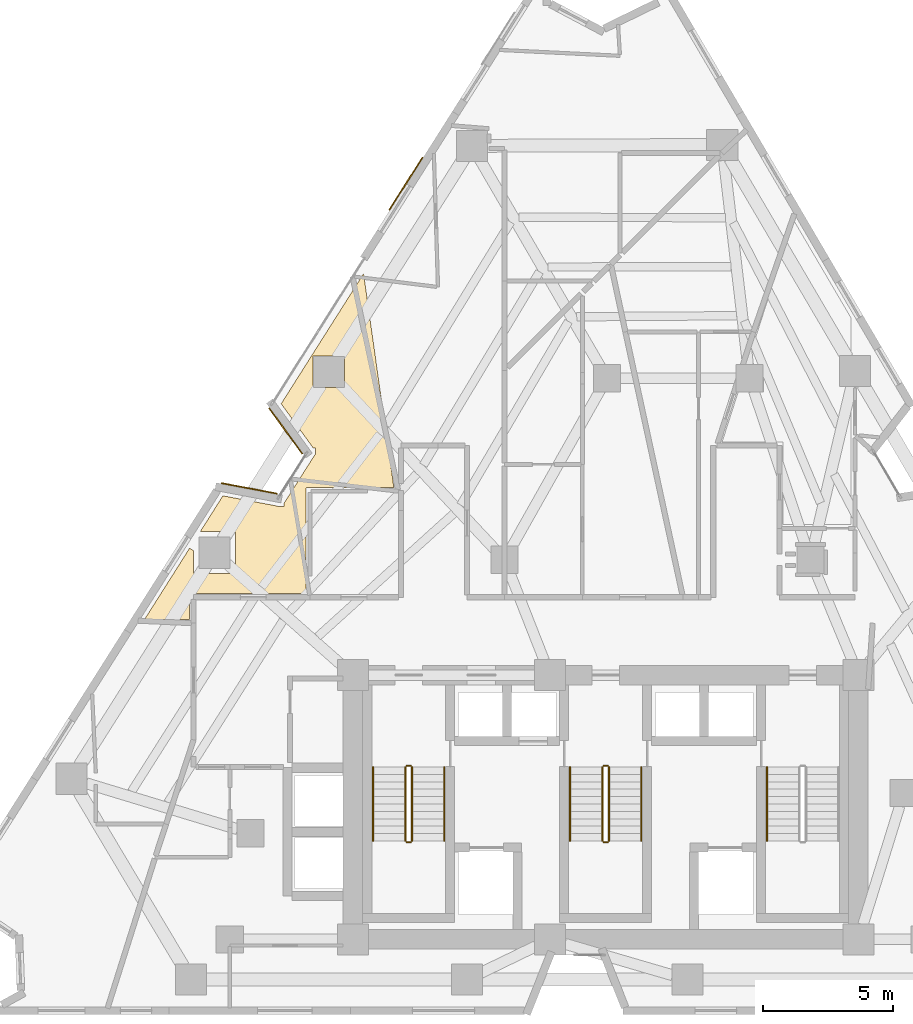
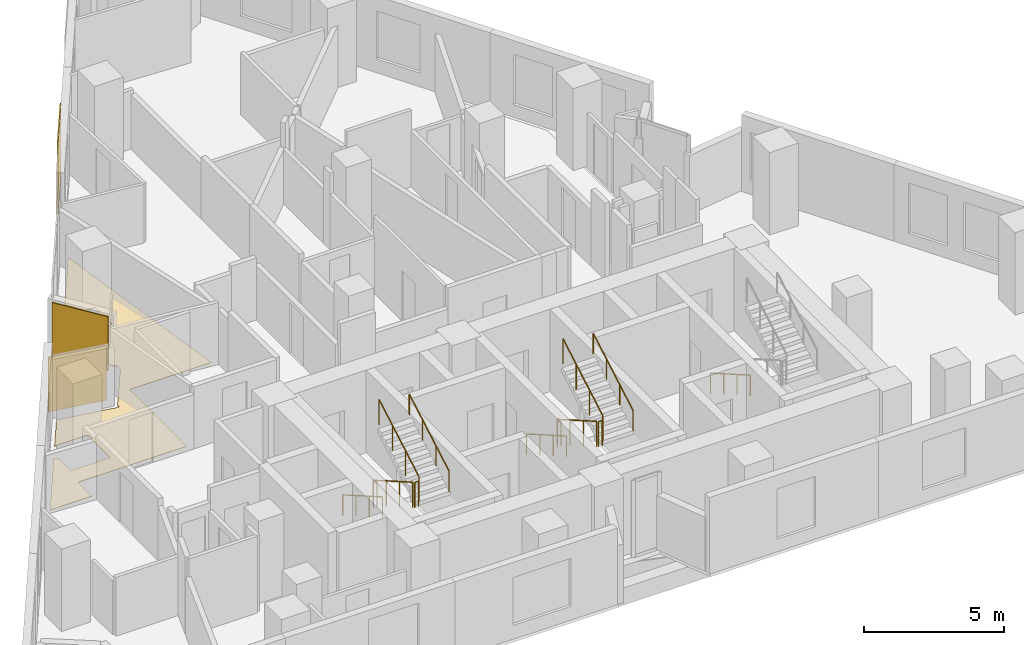
# One storey, part 11 of 12: 13 railings, 4 coverings.
"""IFC4 building model written with IfcOpenShell, lengths in metres."""

from ifc_helpers import new_model, si_unit, direction, frame, origin, origin_2d, place, context, subcontext, project, spatial, polyline, rectangle, circle, outline, extrude, material, layer, layer_set, type_object, element, save


model = new_model("IFC4")

# Units and contexts
model_context = context("Model", 3, precision=1e-05, world=origin(), true_north=direction((0.0, 1.0)))
body_context = subcontext(model_context, "Body", "Model", "MODEL_VIEW")
ifc_project = project(units=[si_unit("LENGTHUNIT", "METRE"), si_unit("AREAUNIT", "SQUARE_METRE"), si_unit("VOLUMEUNIT", "CUBIC_METRE"), si_unit("PLANEANGLEUNIT", "RADIAN"), si_unit("MASSUNIT", "GRAM", prefix="KILO")], contexts=[model_context])

# Site, building, storey
site_placement = place(None, origin())
site = spatial("IfcSite", under=ifc_project, at=site_placement, CompositionType="ELEMENT")
building_placement = place(site_placement, origin())
building = spatial("IfcBuilding", under=site, at=building_placement, Name="Almagre Mirador Tower", CompositionType="ELEMENT")
storey_placement = place(building_placement, frame((0.0, 0.0, 114.0)))
storey = spatial("IfcBuildingStorey", under=building, at=storey_placement, Name="L28", CompositionType="ELEMENT", Elevation=114.0)

# Coverings
ifc_material_1 = material(Name="Almagre terracotta architectural cladding", Category="masonry")
ifc_layer_1 = layer(ifc_material_1, 0.044921875)
ifc_layer_set_1 = layer_set([ifc_layer_1], Name="Almagre terracotta architectural cladding")
covering_type_1 = type_object("IfcCoveringType", Name="COV-CLAD-ALMAGRE", PredefinedType="CLADDING", material=ifc_layer_set_1)
for number, where, z_axis, x_axis, name in (
    (1, (23.552978515625, 21.950439453125, 0.10009765625), (0.0, 0.0, 1.0), (0.982745405197, -0.184963424938, 0.0), "L28 almagre terracotta pier cladding"),
    (2, (24.956298828125, 24.16748046875, 0.10009765625), (0.0, 0.0, 1.0), (-0.587757011914, 0.809037511458, 0.0), "L28 almagre terracotta pier cladding"),
):
    element("IfcCovering", number, at=place(storey_placement, frame(where, z_axis=z_axis, x_axis=x_axis)), inside=storey, type_object=covering_type_1, Name=name, PredefinedType="CLADDING", context=body_context, shape_type="SweptSolid", body=[
        extrude(rectangle(XDim=2.194091796875, YDim=0.044921875, at=origin_2d()), origin(), (0.0, 0.0, 1.0), 2.375),
    ])
covering_1_placement = place(storey_placement, frame((29.5927734375, 33.704833984375, 0.10009765625), z_axis=(0.0, 0.0, 1.0), x_axis=(0.534898084209, 0.844916587309, 0.0)))
element("IfcCovering", 3, at=covering_1_placement, inside=storey, type_object=covering_type_1, Name="L28 almagre terracotta pier cladding", PredefinedType="CLADDING", context=body_context, shape_type="SweptSolid", body=[
    extrude(rectangle(XDim=2.39990234375, YDim=0.044921875, at=origin_2d()), origin(), (0.0, 0.0, 1.0), 3.14990234375),
])
ifc_material_2 = material(Name="Engineered white oak flooring", Category="wood")
ifc_layer_2 = layer(ifc_material_2, 0.01806640625)
ifc_layer_set_2 = layer_set([ifc_layer_2], Name="Engineered white oak flooring")
covering_type_2 = type_object("IfcCoveringType", Name="COV-FLR-OAK-18", PredefinedType="FLOORING", material=ifc_layer_set_2)
covering_2_placement = place(storey_placement, origin())
element("IfcCovering", 4, at=covering_2_placement, inside=storey, type_object=covering_type_2, Name="L28 L28 Residents Reading Gallery UF-ST finish flooring", PredefinedType="FLOORING", context=body_context, shape_type="SweptSolid", body=[
    extrude(outline(polyline([(21.39990234375, 19.547119140625), (21.39990234375, 18.679931640625), (21.409912109375, 18.679931640625), (21.409912109375, 18.669921875), (21.419921875, 18.669921875), (21.419921875, 18.659912109375), (23.0, 18.659912109375), (23.0, 18.669921875), (23.010009765625, 18.669921875), (23.010009765625, 18.679931640625), (23.02001953125, 18.679931640625), (23.02001953125, 20.260009765625), (23.010009765625, 20.260009765625), (23.010009765625, 20.27001953125), (23.0, 20.27001953125), (23.0, 20.280029296875), (21.656005859375, 20.280029296875), (22.531982421875, 21.6640625), (24.626953125, 21.27099609375), (24.64794921875, 21.25), (24.8701171875, 21.25), (24.8701171875, 21.260009765625), (24.889892578125, 21.260009765625), (24.889892578125, 21.3759765625), (26.01611328125, 23.14794921875), (26.10009765625, 23.27490234375), (26.10009765625, 23.510009765625), (26.01708984375, 23.510009765625), (24.781005859375, 25.216064453125), (26.01708984375, 27.169921875), (27.958984375, 30.235107421875), (29.126953125, 21.989990234375), (25.760009765625, 21.989990234375), (25.760009765625, 21.97998046875), (25.75, 21.97998046875), (25.75, 21.969970703125), (25.739990234375, 21.969970703125), (25.739990234375, 17.89990234375), (21.27001953125, 17.89990234375), (21.27001953125, 17.889892578125), (21.260009765625, 17.889892578125), (21.260009765625, 17.8798828125), (21.25, 17.8798828125), (21.25, 16.89990234375), (19.511962890625, 16.89990234375), (21.2470703125, 19.64306640625), (21.39990234375, 19.547119140625)]), holes=[polyline([(26.01708984375, 25.841064453125), (26.01708984375, 27.051025390625), (27.22705078125, 27.051025390625), (27.22705078125, 25.841064453125), (26.01708984375, 25.841064453125)])]), origin(), (0.0, 0.0, 1.0), 0.01806640625),
])

# Railings
ifc_material_3 = material(Name="Painted galvanized steel", Category="steel")
railing_type_1 = type_object("IfcRailingType", Name="RLG-GRD-1100", PredefinedType="GUARDRAIL", material=ifc_material_3)
railing_1_placement = place(storey_placement, frame((29.574951171875, 11.199951171875, 0.16357421875)))
element("IfcRailing", 5, at=railing_1_placement, inside=storey, type_object=railing_type_1, Name="L28 ST-1 stair guard 1", PredefinedType="GUARDRAIL", context=body_context, shape_type="SweptSolid", body=[
    extrude(circle(Radius=0.02392578125, at=origin_2d()), frame((0.0, 0.0, 1.09619140625), z_axis=(0.0, -0.867194282975, 0.497969954491), x_axis=(1.0, 0.0, 0.0)), (0.0, 0.0, 1.0), 3.286376953125),
    extrude(circle(Radius=0.02099609375, at=origin_2d()), origin(), (0.0, 0.0, 1.0), 1.072021484375),
    extrude(circle(Radius=0.02099609375, at=origin_2d()), frame((0.0, -0.949951171875, 0.54541015625)), (0.0, 0.0, 1.0), 1.072021484375),
    extrude(circle(Radius=0.02099609375, at=origin_2d()), frame((0.0, -1.89990234375, 1.091064453125)), (0.0, 0.0, 1.0), 1.072021484375),
    extrude(circle(Radius=0.02099609375, at=origin_2d()), frame((0.0, -2.849853515625, 1.636474609375)), (0.0, 0.0, 1.0), 1.072021484375),
])
railing_2_placement = place(storey_placement, frame((29.625, 8.300048828125, 1.800048828125)))
element("IfcRailing", 6, at=railing_2_placement, inside=storey, type_object=railing_type_1, Name="L28 ST-1 stair guard 2", PredefinedType="GUARDRAIL", context=body_context, shape_type="SweptSolid", body=[
    extrude(circle(Radius=0.02392578125, at=origin_2d()), frame((0.0, 0.0, 1.09619140625), z_axis=(1.0, 0.0, 0.0), x_axis=(0.0, 1.0, 0.0)), (0.0, 0.0, 1.0), 0.14990234375),
    extrude(circle(Radius=0.02099609375, at=origin_2d()), origin(), (0.0, 0.0, 1.0), 1.072021484375),
    extrude(circle(Radius=0.02099609375, at=origin_2d()), frame((0.14990234375, 0.0, 0.0)), (0.0, 0.0, 1.0), 1.072021484375),
])
railing_3_placement = place(storey_placement, frame((29.824951171875, 8.35009765625, 1.963623046875)))
element("IfcRailing", 7, at=railing_3_placement, inside=storey, type_object=railing_type_1, Name="L28 ST-1 stair guard 3", PredefinedType="GUARDRAIL", context=body_context, shape_type="SweptSolid", body=[
    extrude(circle(Radius=0.02392578125, at=origin_2d()), frame((0.0, 0.0, 1.09619140625), z_axis=(0.0, 0.867194282975, 0.497969954491), x_axis=(-1.0, 0.0, 0.0)), (0.0, 0.0, 1.0), 3.286376953125),
    extrude(circle(Radius=0.02099609375, at=origin_2d()), origin(), (0.0, 0.0, 1.0), 1.072021484375),
    extrude(circle(Radius=0.02099609375, at=origin_2d()), frame((0.0, 0.949951171875, 0.54541015625)), (0.0, 0.0, 1.0), 1.072021484375),
    extrude(circle(Radius=0.02099609375, at=origin_2d()), frame((0.0, 1.89990234375, 1.091064453125)), (0.0, 0.0, 1.0), 1.072021484375),
    extrude(circle(Radius=0.02099609375, at=origin_2d()), frame((0.0, 2.849853515625, 1.636474609375)), (0.0, 0.0, 1.0), 1.072021484375),
])
railing_4_placement = place(storey_placement, frame((29.625, 11.25, 0.0)))
element("IfcRailing", 8, at=railing_4_placement, inside=storey, type_object=railing_type_1, Name="L28 ST-1 stair guard 4", PredefinedType="GUARDRAIL", context=body_context, shape_type="SweptSolid", body=[
    extrude(circle(Radius=0.02392578125, at=origin_2d()), frame((0.0, 0.0, 1.09619140625), z_axis=(1.0, 0.0, 0.0), x_axis=(0.0, 1.0, 0.0)), (0.0, 0.0, 1.0), 0.14990234375),
    extrude(circle(Radius=0.02099609375, at=origin_2d()), origin(), (0.0, 0.0, 1.0), 1.072021484375),
    extrude(circle(Radius=0.02099609375, at=origin_2d()), frame((0.14990234375, 0.0, 0.0)), (0.0, 0.0, 1.0), 1.072021484375),
])
railing_5_placement = place(storey_placement, frame((37.175048828125, 11.199951171875, 0.16357421875)))
element("IfcRailing", 9, at=railing_5_placement, inside=storey, type_object=railing_type_1, Name="L28 ST-2 stair guard 1", PredefinedType="GUARDRAIL", context=body_context, shape_type="SweptSolid", body=[
    extrude(circle(Radius=0.02392578125, at=origin_2d()), frame((0.0, 0.0, 1.09619140625), z_axis=(0.0, -0.867194282975, 0.497969954491), x_axis=(1.0, 0.0, 0.0)), (0.0, 0.0, 1.0), 3.286376953125),
    extrude(circle(Radius=0.02099609375, at=origin_2d()), origin(), (0.0, 0.0, 1.0), 1.072021484375),
    extrude(circle(Radius=0.02099609375, at=origin_2d()), frame((0.0, -0.949951171875, 0.54541015625)), (0.0, 0.0, 1.0), 1.072021484375),
    extrude(circle(Radius=0.02099609375, at=origin_2d()), frame((0.0, -1.89990234375, 1.091064453125)), (0.0, 0.0, 1.0), 1.072021484375),
    extrude(circle(Radius=0.02099609375, at=origin_2d()), frame((0.0, -2.849853515625, 1.636474609375)), (0.0, 0.0, 1.0), 1.072021484375),
])
railing_6_placement = place(storey_placement, frame((37.22509765625, 8.300048828125, 1.800048828125)))
element("IfcRailing", 10, at=railing_6_placement, inside=storey, type_object=railing_type_1, Name="L28 ST-2 stair guard 2", PredefinedType="GUARDRAIL", context=body_context, shape_type="SweptSolid", body=[
    extrude(circle(Radius=0.02392578125, at=origin_2d()), frame((0.0, 0.0, 1.09619140625), z_axis=(1.0, 0.0, 0.0), x_axis=(0.0, 1.0, 0.0)), (0.0, 0.0, 1.0), 0.14990234375),
    extrude(circle(Radius=0.02099609375, at=origin_2d()), origin(), (0.0, 0.0, 1.0), 1.072021484375),
    extrude(circle(Radius=0.02099609375, at=origin_2d()), frame((0.14990234375, 0.0, 0.0)), (0.0, 0.0, 1.0), 1.072021484375),
])
railing_7_placement = place(storey_placement, frame((37.425048828125, 8.35009765625, 1.963623046875)))
element("IfcRailing", 11, at=railing_7_placement, inside=storey, type_object=railing_type_1, Name="L28 ST-2 stair guard 3", PredefinedType="GUARDRAIL", context=body_context, shape_type="SweptSolid", body=[
    extrude(circle(Radius=0.02392578125, at=origin_2d()), frame((0.0, 0.0, 1.09619140625), z_axis=(0.0, 0.867194282975, 0.497969954491), x_axis=(-1.0, 0.0, 0.0)), (0.0, 0.0, 1.0), 3.286376953125),
    extrude(circle(Radius=0.02099609375, at=origin_2d()), origin(), (0.0, 0.0, 1.0), 1.072021484375),
    extrude(circle(Radius=0.02099609375, at=origin_2d()), frame((0.0, 0.949951171875, 0.54541015625)), (0.0, 0.0, 1.0), 1.072021484375),
    extrude(circle(Radius=0.02099609375, at=origin_2d()), frame((0.0, 1.89990234375, 1.091064453125)), (0.0, 0.0, 1.0), 1.072021484375),
    extrude(circle(Radius=0.02099609375, at=origin_2d()), frame((0.0, 2.849853515625, 1.636474609375)), (0.0, 0.0, 1.0), 1.072021484375),
])
railing_8_placement = place(storey_placement, frame((37.22509765625, 11.25, 0.0)))
element("IfcRailing", 12, at=railing_8_placement, inside=storey, type_object=railing_type_1, Name="L28 ST-2 stair guard 4", PredefinedType="GUARDRAIL", context=body_context, shape_type="SweptSolid", body=[
    extrude(circle(Radius=0.02392578125, at=origin_2d()), frame((0.0, 0.0, 1.09619140625), z_axis=(1.0, 0.0, 0.0), x_axis=(0.0, 1.0, 0.0)), (0.0, 0.0, 1.0), 0.14990234375),
    extrude(circle(Radius=0.02099609375, at=origin_2d()), origin(), (0.0, 0.0, 1.0), 1.072021484375),
    extrude(circle(Radius=0.02099609375, at=origin_2d()), frame((0.14990234375, 0.0, 0.0)), (0.0, 0.0, 1.0), 1.072021484375),
])
ifc_material_4 = material(Name="Brushed stainless steel", Category="steel")
railing_type_2 = type_object("IfcRailingType", Name="RLG-HND-915", PredefinedType="HANDRAIL", material=ifc_material_4)
railing_9_placement = place(storey_placement, frame((28.324951171875, 11.199951171875, 0.16357421875)))
element("IfcRailing", 13, at=railing_9_placement, inside=storey, type_object=railing_type_2, Name="L28 ST-1 stair handrail 1", PredefinedType="HANDRAIL", context=body_context, shape_type="SweptSolid", body=[
    extrude(circle(Radius=0.02392578125, at=origin_2d()), frame((0.0, 0.0, 0.89111328125), z_axis=(0.0, -0.867194282975, 0.497969954491), x_axis=(1.0, 0.0, 0.0)), (0.0, 0.0, 1.0), 3.286376953125),
    extrude(circle(Radius=0.02099609375, at=origin_2d()), origin(), (0.0, 0.0, 1.0), 0.866943359375),
    extrude(circle(Radius=0.02099609375, at=origin_2d()), frame((0.0, -0.949951171875, 0.54541015625)), (0.0, 0.0, 1.0), 0.866943359375),
    extrude(circle(Radius=0.02099609375, at=origin_2d()), frame((0.0, -1.89990234375, 1.091064453125)), (0.0, 0.0, 1.0), 0.866943359375),
    extrude(circle(Radius=0.02099609375, at=origin_2d()), frame((0.0, -2.849853515625, 1.636474609375)), (0.0, 0.0, 1.0), 0.866943359375),
])
railing_10_placement = place(storey_placement, frame((31.074951171875, 8.35009765625, 1.963623046875)))
element("IfcRailing", 14, at=railing_10_placement, inside=storey, type_object=railing_type_2, Name="L28 ST-1 stair handrail 2", PredefinedType="HANDRAIL", context=body_context, shape_type="SweptSolid", body=[
    extrude(circle(Radius=0.02392578125, at=origin_2d()), frame((0.0, 0.0, 0.89111328125), z_axis=(0.0, 0.867194282975, 0.497969954491), x_axis=(-1.0, 0.0, 0.0)), (0.0, 0.0, 1.0), 3.286376953125),
    extrude(circle(Radius=0.02099609375, at=origin_2d()), origin(), (0.0, 0.0, 1.0), 0.866943359375),
    extrude(circle(Radius=0.02099609375, at=origin_2d()), frame((0.0, 0.949951171875, 0.54541015625)), (0.0, 0.0, 1.0), 0.866943359375),
    extrude(circle(Radius=0.02099609375, at=origin_2d()), frame((0.0, 1.89990234375, 1.091064453125)), (0.0, 0.0, 1.0), 0.866943359375),
    extrude(circle(Radius=0.02099609375, at=origin_2d()), frame((0.0, 2.849853515625, 1.636474609375)), (0.0, 0.0, 1.0), 0.866943359375),
])
railing_11_placement = place(storey_placement, frame((35.925048828125, 11.199951171875, 0.16357421875)))
element("IfcRailing", 15, at=railing_11_placement, inside=storey, type_object=railing_type_2, Name="L28 ST-2 stair handrail 1", PredefinedType="HANDRAIL", context=body_context, shape_type="SweptSolid", body=[
    extrude(circle(Radius=0.02392578125, at=origin_2d()), frame((0.0, 0.0, 0.89111328125), z_axis=(0.0, -0.867194282975, 0.497969954491), x_axis=(1.0, 0.0, 0.0)), (0.0, 0.0, 1.0), 3.286376953125),
    extrude(circle(Radius=0.02099609375, at=origin_2d()), origin(), (0.0, 0.0, 1.0), 0.866943359375),
    extrude(circle(Radius=0.02099609375, at=origin_2d()), frame((0.0, -0.949951171875, 0.54541015625)), (0.0, 0.0, 1.0), 0.866943359375),
    extrude(circle(Radius=0.02099609375, at=origin_2d()), frame((0.0, -1.89990234375, 1.091064453125)), (0.0, 0.0, 1.0), 0.866943359375),
    extrude(circle(Radius=0.02099609375, at=origin_2d()), frame((0.0, -2.849853515625, 1.636474609375)), (0.0, 0.0, 1.0), 0.866943359375),
])
railing_12_placement = place(storey_placement, frame((38.675048828125, 8.35009765625, 1.963623046875)))
element("IfcRailing", 16, at=railing_12_placement, inside=storey, type_object=railing_type_2, Name="L28 ST-2 stair handrail 2", PredefinedType="HANDRAIL", context=body_context, shape_type="SweptSolid", body=[
    extrude(circle(Radius=0.02392578125, at=origin_2d()), frame((0.0, 0.0, 0.89111328125), z_axis=(0.0, 0.867194282975, 0.497969954491), x_axis=(-1.0, 0.0, 0.0)), (0.0, 0.0, 1.0), 3.286376953125),
    extrude(circle(Radius=0.02099609375, at=origin_2d()), origin(), (0.0, 0.0, 1.0), 0.866943359375),
    extrude(circle(Radius=0.02099609375, at=origin_2d()), frame((0.0, 0.949951171875, 0.54541015625)), (0.0, 0.0, 1.0), 0.866943359375),
    extrude(circle(Radius=0.02099609375, at=origin_2d()), frame((0.0, 1.89990234375, 1.091064453125)), (0.0, 0.0, 1.0), 0.866943359375),
    extrude(circle(Radius=0.02099609375, at=origin_2d()), frame((0.0, 2.849853515625, 1.636474609375)), (0.0, 0.0, 1.0), 0.866943359375),
])
railing_13_placement = place(storey_placement, frame((43.52490234375, 11.199951171875, 0.16357421875)))
element("IfcRailing", 17, at=railing_13_placement, inside=storey, type_object=railing_type_2, Name="L28 ST-3 stair handrail 1", PredefinedType="HANDRAIL", context=body_context, shape_type="SweptSolid", body=[
    extrude(circle(Radius=0.02392578125, at=origin_2d()), frame((0.0, 0.0, 0.89111328125), z_axis=(0.0, -0.867194282975, 0.497969954491), x_axis=(1.0, 0.0, 0.0)), (0.0, 0.0, 1.0), 3.286376953125),
    extrude(circle(Radius=0.02099609375, at=origin_2d()), origin(), (0.0, 0.0, 1.0), 0.866943359375),
    extrude(circle(Radius=0.02099609375, at=origin_2d()), frame((0.0, -0.949951171875, 0.54541015625)), (0.0, 0.0, 1.0), 0.866943359375),
    extrude(circle(Radius=0.02099609375, at=origin_2d()), frame((0.0, -1.89990234375, 1.091064453125)), (0.0, 0.0, 1.0), 0.866943359375),
    extrude(circle(Radius=0.02099609375, at=origin_2d()), frame((0.0, -2.849853515625, 1.636474609375)), (0.0, 0.0, 1.0), 0.866943359375),
])

save(model, "model.ifc")
